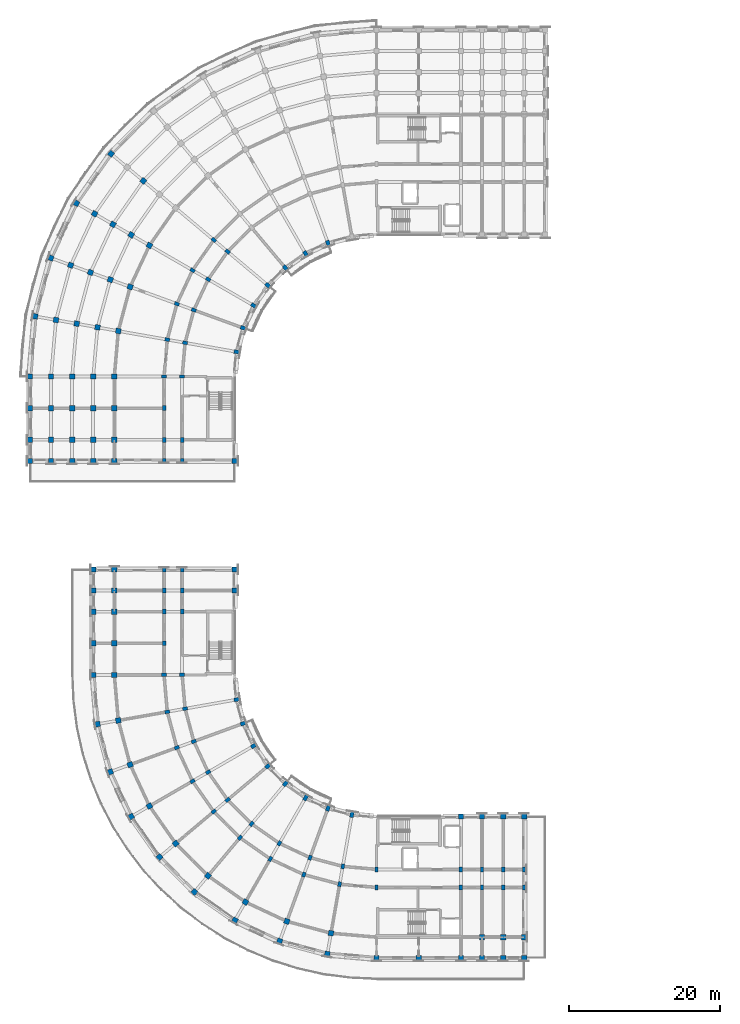
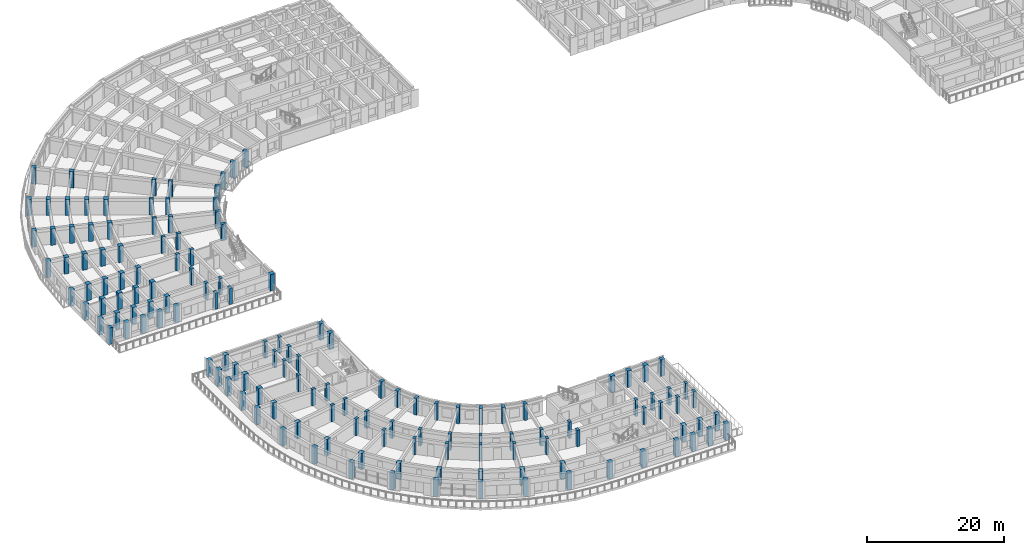
# One storey, part 1 of 54: 144 columns.
"""IFC4 building model written with IfcOpenShell, lengths in metres."""

import ifcopenshell
import ifcopenshell.guid

model = None  # the IFC model being written
_history = None  # IfcOwnerHistory: only IFC2X3 demands one
_inside = {}  # id of a spatial element -> (the spatial element, [elements in it])
_under = {}  # id of a project, library or spatial element -> (it, [spatial elements below it])
_declared = {}  # id of a project -> (the project, [libraries it declares])
_typed = {}  # id of a type object -> (the type object, [elements of that type])
_made_of = {}  # id of a material, layer set ... -> (it, [elements and type objects made of it])


def new_model(schema):
    """Start an empty IFC model of exactly this schema.

    Asked for "IFC4X3", IfcOpenShell would pick the latest addendum, in which some entities
    have other attributes; the version numbers below select the first issue.
    IFC2X3 requires an IfcOwnerHistory on every rooted entity: one is made here for all.
    """
    global model, _history
    if schema == "IFC4X3":
        model = ifcopenshell.file(schema_version=(4, 3, 0, 0))
    else:
        model = ifcopenshell.file(schema=schema)
    _inside.clear()
    _under.clear()
    _declared.clear()
    _typed.clear()
    _made_of.clear()
    _history = None
    if model.schema == "IFC2X3":
        org = make("IfcOrganization", Name="unknown")
        user = make(
            "IfcPersonAndOrganization",
            ThePerson=make("IfcPerson", FamilyName="unknown"),
            TheOrganization=org,
        )
        app = make(
            "IfcApplication",
            ApplicationDeveloper=org,
            Version="unknown",
            ApplicationFullName="unknown",
            ApplicationIdentifier="unknown",
        )
        _history = make(
            "IfcOwnerHistory",
            OwningUser=user,
            OwningApplication=app,
            ChangeAction="ADDED",
            CreationDate=0,
        )
    return model


def make(cls, **values):
    """One entity of the class cls with the attributes given. An attribute that is None is left unset."""
    return model.create_entity(
        cls, **{name: value for name, value in values.items() if value is not None}
    )


def rooted(cls, **values):
    """An entity with a GlobalId (a new one), such as an element, a storey or a relation."""
    return make(cls, GlobalId=ifcopenshell.guid.new(), OwnerHistory=_history, **values)


def si_unit(unit_type, name, prefix=None):
    """IfcSIUnit, for example si_unit("LENGTHUNIT", "METRE", prefix="MILLI")."""
    return make("IfcSIUnit", UnitType=unit_type, Prefix=prefix, Name=name)


def assignment(units):
    """IfcUnitAssignment: the units of a project."""
    return None if units is None else make("IfcUnitAssignment", Units=units)


def point(xyz):
    """IfcCartesianPoint."""
    return None if xyz is None else make("IfcCartesianPoint", Coordinates=xyz)


def direction(xyz):
    """IfcDirection."""
    return None if xyz is None else make("IfcDirection", DirectionRatios=xyz)


def frame(location, z_axis=None, x_axis=None):
    """IfcAxis2Placement3D, a coordinate frame: its origin and axes. An axis left out is left unset."""
    return make(
        "IfcAxis2Placement3D",
        Location=point(location),
        Axis=direction(z_axis),
        RefDirection=direction(x_axis),
    )


def frame_2d(location, x_axis=None):
    """IfcAxis2Placement2D, a coordinate frame in the plane: its origin and x axis."""
    return make(
        "IfcAxis2Placement2D", Location=point(location), RefDirection=direction(x_axis)
    )


def origin():
    """The frame at (0, 0, 0) with its axes left unset."""
    return frame((0.0, 0.0, 0.0))


def origin_2d():
    """The frame at (0, 0) in the plane with its x axis left unset."""
    return frame_2d((0.0, 0.0))


def place(relative_to, where):
    """IfcLocalPlacement: puts the frame where relative to a parent placement (None: the world)."""
    return make(
        "IfcLocalPlacement", PlacementRelTo=relative_to, RelativePlacement=where
    )


def context(
    kind, dimensions, precision=None, world=None, true_north=None, identifier=None
):
    """IfcGeometricRepresentationContext, for example the 3D "Model" context."""
    return make(
        "IfcGeometricRepresentationContext",
        ContextIdentifier=identifier,
        ContextType=kind,
        CoordinateSpaceDimension=dimensions,
        Precision=precision,
        WorldCoordinateSystem=world,
        TrueNorth=true_north,
    )


def subcontext(parent, identifier, kind, view, scale=None):
    """IfcGeometricRepresentationSubContext, for example "Body" below "Model"."""
    return make(
        "IfcGeometricRepresentationSubContext",
        ContextIdentifier=identifier,
        ContextType=kind,
        ParentContext=parent,
        TargetScale=scale,
        TargetView=view,
    )


def project(units=None, contexts=None):
    """IfcProject with its units and contexts."""
    return rooted(
        "IfcProject",
        Name="project",
        RepresentationContexts=contexts,
        UnitsInContext=assignment(units),
    )


def spatial(cls, under=None, at=None, **own):
    """A site, building, storey or space (cls), placed at a placement, below another one or the project."""
    s = rooted(cls, ObjectPlacement=at, **own)
    if under is not None:
        _under.setdefault(under.id(), (under, []))[1].append(s)
    return s


def profile(cls, at=None, kind="AREA", **sizes):
    """A parametric profile (cls). Its sizes go by their IFC names, for example OverallWidth=200.0."""
    return make(cls, ProfileType=kind, Position=at, **sizes)


def rectangle(**sizes):
    """IfcRectangleProfileDef."""
    return profile("IfcRectangleProfileDef", **sizes)


def extrude(swept, where, along, depth):
    """IfcExtrudedAreaSolid: the profile swept, set in the frame where, extruded along a direction by depth."""
    return make(
        "IfcExtrudedAreaSolid",
        SweptArea=swept,
        Position=where,
        ExtrudedDirection=direction(along),
        Depth=depth,
    )


def shape(context_of_items, identifier, shape_type, items):
    """IfcShapeRepresentation: the items that make up one representation, for example the "Body"."""
    return make(
        "IfcShapeRepresentation",
        ContextOfItems=context_of_items,
        RepresentationIdentifier=identifier,
        RepresentationType=shape_type,
        Items=items,
    )


def material(Name=None, Category=None):
    """IfcMaterial."""
    return make("IfcMaterial", Name=Name, Category=Category)


def material_profile(
    of_material, cross_section, Name=None, Category=None, Priority=None
):
    """IfcMaterialProfile: a cross section and its material."""
    return make(
        "IfcMaterialProfile",
        Name=Name,
        Material=of_material,
        Profile=cross_section,
        Priority=Priority,
        Category=Category,
    )


def profile_set(profiles, Name=None, composite=None):
    """IfcMaterialProfileSet."""
    return make(
        "IfcMaterialProfileSet",
        Name=Name,
        MaterialProfiles=profiles,
        CompositeProfile=composite,
    )


def made_of(thing, what):
    """Note that an element or type object is made of a material, layer set ...; save() writes the relation."""
    if what is not None:
        _made_of.setdefault(what.id(), (what, []))[1].append(thing)
    return thing


def type_object(cls, material=None, **own):
    """A type object (cls), such as IfcWallType, which elements share."""
    return made_of(rooted(cls, **own), material)


def element(
    cls,
    number,
    at=None,
    inside=None,
    cuts=None,
    type_object=None,
    material=None,
    context=None,
    identifier="Body",
    shape_type=None,
    held_by="IfcProductDefinitionShape",
    body=None,
    shapes=None,
    **own,
):
    """One element of the class cls, such as IfcWall. Its Tag is "e" and its number.

    at: its placement. inside: the storey or other place that contains it. cuts: it is an
    opening in that element (IfcRelVoidsElement). A single representation is given by context,
    identifier, shape_type and body (its items); several are given by shapes. held_by: the class
    of the entity that holds the representations. save() writes the other relations.
    """
    e = rooted(cls, Tag="e%d" % number, ObjectPlacement=at, **own)
    if body is not None:
        shapes = [shape(context, identifier, shape_type, body)]
    if shapes is not None:
        e.Representation = make(held_by, Representations=shapes)
    if inside is not None:
        _inside.setdefault(inside.id(), (inside, []))[1].append(e)
    if cuts is not None:
        rooted(
            "IfcRelVoidsElement", RelatingBuildingElement=cuts, RelatedOpeningElement=e
        )
    if type_object is not None:
        _typed.setdefault(type_object.id(), (type_object, []))[1].append(e)
    return made_of(e, material)


def aggregate(whole, parts):
    """IfcRelAggregates: a whole, such as a stair, and the parts it consists of."""
    return rooted("IfcRelAggregates", RelatingObject=whole, RelatedObjects=parts)


def save(model, path):
    """Write the relations noted so far, then the file.

    IfcRelAggregates (storeys below a building ...), IfcRelContainedInSpatialStructure (elements
    in a storey), IfcRelDefinesByType, IfcRelAssociatesMaterial and IfcRelDeclares: one each for
    every whole, place, type object, material and project.
    """
    for whole, parts in _under.values():
        aggregate(whole, parts)
    for where, things in _inside.values():
        rooted(
            "IfcRelContainedInSpatialStructure",
            RelatedElements=things,
            RelatingStructure=where,
        )
    for kind, things in _typed.values():
        rooted("IfcRelDefinesByType", RelatedObjects=things, RelatingType=kind)
    for what, things in _made_of.values():
        rooted("IfcRelAssociatesMaterial", RelatedObjects=things, RelatingMaterial=what)
    for by, libraries in _declared.values():
        rooted("IfcRelDeclares", RelatingContext=by, RelatedDefinitions=libraries)
    model.write(path)


model = new_model("IFC4")

# Units and contexts
model_context = context("Model", 3, precision=1e-05, world=origin(), true_north=direction((0.0, 1.0)))
body_context = subcontext(model_context, "Body", "Model", "MODEL_VIEW")
ifc_project = project(units=[si_unit("LENGTHUNIT", "METRE"), si_unit("AREAUNIT", "SQUARE_METRE"), si_unit("VOLUMEUNIT", "CUBIC_METRE"), si_unit("PLANEANGLEUNIT", "RADIAN"), si_unit("MASSUNIT", "GRAM", prefix="KILO")], contexts=[model_context])

# Site, building, storey
site_placement = place(None, origin())
site = spatial("IfcSite", under=ifc_project, at=site_placement, CompositionType="ELEMENT")
building_placement = place(site_placement, origin())
building = spatial("IfcBuilding", under=site, at=building_placement, Name="Kiranvali Square Residences", CompositionType="ELEMENT")
storey_placement = place(building_placement, frame((0.0, 0.0, 27.60009765625)))
storey = spatial("IfcBuildingStorey", under=building, at=storey_placement, Name="L08", CompositionType="ELEMENT", Elevation=27.60009765625)

# Columns
ifc_material_1 = material(Name="Concrete M40 (40 MPa)", Category="concrete")
ifc_material_profile_1 = material_profile(ifc_material_1, rectangle(XDim=0.449951171875, YDim=0.64990234375, at=origin_2d()), Name="RC 650x450")
ifc_profile_set_1 = profile_set([ifc_material_profile_1], Name="Concrete M40 (40 MPa)")
column_type_1 = type_object("IfcColumnType", Name="COL-M40-650x450", PredefinedType="COLUMN", material=ifc_profile_set_1)
for number, where, z_axis, x_axis, name in (
    (1, (28.43603515625, 104.384033203125, 0.0), (0.0, 0.0, 1.0), (0.642787609687, 0.766044443119, 0.0), "Block A L08 radial column A05-R1"),
    (2, (26.59765625, 105.926513671875, 0.0), (0.0, 0.0, 1.0), (0.642787609687, 0.766044443119, 0.0), "Block A L08 radial column A05-R2"),
    (3, (25.8564453125, 100.699951171875, 0.0), (0.0, 0.0, 1.0), (0.5, 0.866025403784, 0.0), "Block A L08 radial column A06-R1"),
    (4, (23.778076171875, 101.89990234375, 0.0), (0.0, 0.0, 1.0), (0.5, 0.866025403784, 0.0), "Block A L08 radial column A06-R2"),
    (5, (23.955810546875, 96.6240234375, 0.0), (0.0, 0.0, 1.0), (0.342020143326, 0.939692620786, 0.0), "Block A L08 radial column A07-R1"),
    (6, (21.70068359375, 97.445068359375, 0.0), (0.0, 0.0, 1.0), (0.342020143326, 0.939692620786, 0.0), "Block A L08 radial column A07-R2"),
    (7, (22.7919921875, 92.280029296875, 0.0), (0.0, 0.0, 1.0), (0.173648177667, 0.984807753012, 0.0), "Block A L08 radial column A08-R1"),
    (8, (20.428466796875, 92.69677734375, 0.0), (0.0, 0.0, 1.0), (0.173648177667, 0.984807753012, 0.0), "Block A L08 radial column A08-R2"),
    (9, (22.39990234375, 87.800048828125, 0.0), (0.0, 0.0, 1.0), (0.0, 1.0, 0.0), "Block A L08 radial column A09-R1"),
    (10, (20.0, 87.800048828125, 0.0), (0.0, 0.0, 1.0), (0.0, 1.0, 0.0), "Block A L08 radial column A09-R2"),
    (11, (20.0, 83.60009765625, 0.0), (0.0, 0.0, 1.0), (1.0, 0.0, 0.0), "Block A L08 Arm 2 mid-core column V0-R2"),
    (12, (22.39990234375, 79.39990234375, 0.0), (0.0, 0.0, 1.0), (1.0, 0.0, 0.0), "Block A L08 Arm 2 column V1-R1"),
    (13, (20.0, 79.39990234375, 0.0), (0.0, 0.0, 1.0), (1.0, 0.0, 0.0), "Block A L08 Arm 2 column V1-R2"),
    (14, (22.39990234375, 76.60009765625, 0.0), (0.0, 0.0, 1.0), (1.0, 0.0, 0.0), "Block A L08 Arm 2 column V2-R1"),
    (15, (20.0, 76.60009765625, 0.0), (0.0, 0.0, 1.0), (1.0, 0.0, 0.0), "Block A L08 Arm 2 column V2-R2"),
    (16, (48.199951171875, 22.39990234375, 0.0), (0.0, 0.0, 1.0), (1.0, 0.0, 0.0), "Block C L08 radial column A00-R1"),
    (17, (48.199951171875, 20.0, 0.0), (0.0, 0.0, 1.0), (1.0, 0.0, 0.0), "Block C L08 radial column A00-R2"),
    (18, (43.719970703125, 22.7919921875, 0.0), (0.0, 0.0, 1.0), (-0.984807753012, 0.173648177667, 0.0), "Block C L08 radial column A01-R1"),
    (19, (43.30322265625, 20.428466796875, 0.0), (0.0, 0.0, 1.0), (-0.984807753012, 0.173648177667, 0.0), "Block C L08 radial column A01-R2"),
    (20, (39.3759765625, 23.955810546875, 0.0), (0.0, 0.0, 1.0), (-0.939692620786, 0.342020143326, 0.0), "Block C L08 radial column A02-R1"),
    (21, (38.554931640625, 21.70068359375, 0.0), (0.0, 0.0, 1.0), (-0.939692620786, 0.342020143326, 0.0), "Block C L08 radial column A02-R2"),
    (22, (35.300048828125, 25.8564453125, 0.0), (0.0, 0.0, 1.0), (-0.866025403784, 0.5, 0.0), "Block C L08 radial column A03-R1"),
    (23, (34.10009765625, 23.778076171875, 0.0), (0.0, 0.0, 1.0), (-0.866025403784, 0.5, 0.0), "Block C L08 radial column A03-R2"),
    (24, (31.615966796875, 28.43603515625, 0.0), (0.0, 0.0, 1.0), (-0.766044443119, 0.642787609687, 0.0), "Block C L08 radial column A04-R1"),
    (25, (30.073486328125, 26.59765625, 0.0), (0.0, 0.0, 1.0), (-0.766044443119, 0.642787609687, 0.0), "Block C L08 radial column A04-R2"),
    (26, (28.43603515625, 31.615966796875, 0.0), (0.0, 0.0, 1.0), (-0.642787609687, 0.766044443119, 0.0), "Block C L08 radial column A05-R1"),
    (27, (26.59765625, 30.073486328125, 0.0), (0.0, 0.0, 1.0), (-0.642787609687, 0.766044443119, 0.0), "Block C L08 radial column A05-R2"),
    (28, (25.8564453125, 35.300048828125, 0.0), (0.0, 0.0, 1.0), (-0.5, 0.866025403784, 0.0), "Block C L08 radial column A06-R1"),
    (29, (23.778076171875, 34.10009765625, 0.0), (0.0, 0.0, 1.0), (-0.5, 0.866025403784, 0.0), "Block C L08 radial column A06-R2"),
    (30, (23.955810546875, 39.3759765625, 0.0), (0.0, 0.0, 1.0), (-0.342020143326, 0.939692620786, 0.0), "Block C L08 radial column A07-R1"),
    (31, (21.70068359375, 38.554931640625, 0.0), (0.0, 0.0, 1.0), (-0.342020143326, 0.939692620786, 0.0), "Block C L08 radial column A07-R2"),
    (32, (22.7919921875, 43.719970703125, 0.0), (0.0, 0.0, 1.0), (-0.173648177667, 0.984807753012, 0.0), "Block C L08 radial column A08-R1"),
    (33, (20.428466796875, 43.30322265625, 0.0), (0.0, 0.0, 1.0), (-0.173648177667, 0.984807753012, 0.0), "Block C L08 radial column A08-R2"),
    (34, (22.39990234375, 48.199951171875, 0.0), (0.0, 0.0, 1.0), (0.0, 1.0, 0.0), "Block C L08 radial column A09-R1"),
    (35, (20.0, 48.199951171875, 0.0), (0.0, 0.0, 1.0), (0.0, 1.0, 0.0), "Block C L08 radial column A09-R2"),
    (36, (59.39990234375, 22.39990234375, 0.0), (0.0, 0.0, 1.0), (1.0, 0.0, 0.0), "Block C L08 Arm 1 column U1-R1"),
    (37, (59.39990234375, 20.0, 0.0), (0.0, 0.0, 1.0), (1.0, 0.0, 0.0), "Block C L08 Arm 1 column U1-R2"),
    (38, (62.199951171875, 22.39990234375, 0.0), (0.0, 0.0, 1.0), (1.0, 0.0, 0.0), "Block C L08 Arm 1 column U2-R1"),
    (39, (62.199951171875, 20.0, 0.0), (0.0, 0.0, 1.0), (1.0, 0.0, 0.0), "Block C L08 Arm 1 column U2-R2"),
    (40, (65.0, 22.39990234375, 0.0), (0.0, 0.0, 1.0), (1.0, 0.0, 0.0), "Block C L08 Arm 1 column U3-R1"),
    (41, (65.0, 20.0, 0.0), (0.0, 0.0, 1.0), (1.0, 0.0, 0.0), "Block C L08 Arm 1 column U3-R2"),
    (42, (67.800048828125, 22.39990234375, 0.0), (0.0, 0.0, 1.0), (1.0, 0.0, 0.0), "Block C L08 Arm 1 column U4-R1"),
    (43, (67.800048828125, 20.0, 0.0), (0.0, 0.0, 1.0), (1.0, 0.0, 0.0), "Block C L08 Arm 1 column U4-R2"),
    (44, (20.0, 52.39990234375, 0.0), (0.0, 0.0, 1.0), (1.0, 0.0, 0.0), "Block C L08 Arm 2 mid-core column V0-R2"),
    (45, (22.39990234375, 56.60009765625, 0.0), (0.0, 0.0, 1.0), (1.0, 0.0, 0.0), "Block C L08 Arm 2 column V1-R1"),
    (46, (20.0, 56.60009765625, 0.0), (0.0, 0.0, 1.0), (1.0, 0.0, 0.0), "Block C L08 Arm 2 column V1-R2"),
    (47, (22.39990234375, 59.39990234375, 0.0), (0.0, 0.0, 1.0), (1.0, 0.0, 0.0), "Block C L08 Arm 2 column V2-R1"),
    (48, (20.0, 59.39990234375, 0.0), (0.0, 0.0, 1.0), (1.0, 0.0, 0.0), "Block C L08 Arm 2 column V2-R2"),
    (49, (22.39990234375, 62.199951171875, 0.0), (0.0, 0.0, 1.0), (1.0, 0.0, 0.0), "Block C L08 Arm 2 column V3-R1"),
    (50, (20.0, 62.199951171875, 0.0), (0.0, 0.0, 1.0), (1.0, 0.0, 0.0), "Block C L08 Arm 2 column V3-R2"),
):
    element("IfcColumn", number, at=place(storey_placement, frame(where, z_axis=z_axis, x_axis=x_axis)), inside=storey, type_object=column_type_1, Name=name, PredefinedType="COLUMN", context=body_context, shape_type="SweptSolid", body=[
        extrude(rectangle(XDim=0.449951171875, YDim=0.64990234375, at=origin_2d()), origin(), (0.0, 0.0, 1.0), 2.929931640625),
    ])
ifc_material_2 = material(Name="Concrete M45 (45 MPa)", Category="concrete")
ifc_material_profile_2 = material_profile(ifc_material_2, rectangle(XDim=0.699951171875, YDim=0.699951171875, at=origin_2d()), Name="RC 700x700")
ifc_profile_set_2 = profile_set([ifc_material_profile_2], Name="Concrete M45 (45 MPa)")
column_type_2 = type_object("IfcColumnType", Name="COL-M45-700", PredefinedType="COLUMN", material=ifc_profile_set_2)
for number, where, z_axis, x_axis, name in (
    (51, (17.251708984375, 113.7685546875, 0.0), (0.0, 0.0, 1.0), (0.642787609687, 0.766044443119, 0.0), "Block A L08 radial column A05-R5"),
    (52, (12.9619140625, 117.3681640625, 0.0), (0.0, 0.0, 1.0), (0.642787609687, 0.766044443119, 0.0), "Block A L08 radial column A05-R7"),
    (53, (18.062255859375, 105.199951171875, 0.0), (0.0, 0.0, 1.0), (0.5, 0.866025403784, 0.0), "Block A L08 radial column A06-R3"),
    (54, (15.637451171875, 106.60009765625, 0.0), (0.0, 0.0, 1.0), (0.5, 0.866025403784, 0.0), "Block A L08 radial column A06-R4"),
    (55, (13.212646484375, 108.0, 0.0), (0.0, 0.0, 1.0), (0.5, 0.866025403784, 0.0), "Block A L08 radial column A06-R5"),
    (56, (10.78759765625, 109.39990234375, 0.0), (0.0, 0.0, 1.0), (0.5, 0.866025403784, 0.0), "Block A L08 radial column A06-R6"),
    (57, (8.36279296875, 110.800048828125, 0.0), (0.0, 0.0, 1.0), (0.5, 0.866025403784, 0.0), "Block A L08 radial column A06-R7"),
    (58, (15.498779296875, 99.702392578125, 0.0), (0.0, 0.0, 1.0), (0.342020143326, 0.939692620786, 0.0), "Block A L08 radial column A07-R3"),
    (59, (12.86767578125, 100.659912109375, 0.0), (0.0, 0.0, 1.0), (0.342020143326, 0.939692620786, 0.0), "Block A L08 radial column A07-R4"),
    (60, (10.236328125, 101.61767578125, 0.0), (0.0, 0.0, 1.0), (0.342020143326, 0.939692620786, 0.0), "Block A L08 radial column A07-R5"),
    (61, (7.605224609375, 102.5751953125, 0.0), (0.0, 0.0, 1.0), (0.342020143326, 0.939692620786, 0.0), "Block A L08 radial column A07-R6"),
    (62, (4.97412109375, 103.532958984375, 0.0), (0.0, 0.0, 1.0), (0.342020143326, 0.939692620786, 0.0), "Block A L08 radial column A07-R7"),
    (63, (13.9287109375, 93.843017578125, 0.0), (0.0, 0.0, 1.0), (0.173648177667, 0.984807753012, 0.0), "Block A L08 radial column A08-R3"),
    (64, (11.171142578125, 94.3291015625, 0.0), (0.0, 0.0, 1.0), (0.173648177667, 0.984807753012, 0.0), "Block A L08 radial column A08-R4"),
    (65, (8.413818359375, 94.8154296875, 0.0), (0.0, 0.0, 1.0), (0.173648177667, 0.984807753012, 0.0), "Block A L08 radial column A08-R5"),
    (66, (5.65625, 95.301513671875, 0.0), (0.0, 0.0, 1.0), (0.173648177667, 0.984807753012, 0.0), "Block A L08 radial column A08-R6"),
    (67, (2.89892578125, 95.787841796875, 0.0), (0.0, 0.0, 1.0), (0.173648177667, 0.984807753012, 0.0), "Block A L08 radial column A08-R7"),
    (68, (13.39990234375, 87.800048828125, 0.0), (0.0, 0.0, 1.0), (0.0, 1.0, 0.0), "Block A L08 radial column A09-R3"),
    (69, (10.60009765625, 87.800048828125, 0.0), (0.0, 0.0, 1.0), (0.0, 1.0, 0.0), "Block A L08 radial column A09-R4"),
    (70, (7.800048828125, 87.800048828125, 0.0), (0.0, 0.0, 1.0), (0.0, 1.0, 0.0), "Block A L08 radial column A09-R5"),
    (71, (5.0, 87.800048828125, 0.0), (0.0, 0.0, 1.0), (0.0, 1.0, 0.0), "Block A L08 radial column A09-R6"),
    (72, (2.199951171875, 87.800048828125, 0.0), (0.0, 0.0, 1.0), (0.0, 1.0, 0.0), "Block A L08 radial column A09-R7"),
    (73, (13.39990234375, 83.60009765625, 0.0), (0.0, 0.0, 1.0), (1.0, 0.0, 0.0), "Block A L08 Arm 2 mid-core column V0-R3"),
    (74, (10.60009765625, 83.60009765625, 0.0), (0.0, 0.0, 1.0), (1.0, 0.0, 0.0), "Block A L08 Arm 2 mid-core column V0-R4"),
    (75, (7.800048828125, 83.60009765625, 0.0), (0.0, 0.0, 1.0), (1.0, 0.0, 0.0), "Block A L08 Arm 2 mid-core column V0-R5"),
    (76, (5.0, 83.60009765625, 0.0), (0.0, 0.0, 1.0), (1.0, 0.0, 0.0), "Block A L08 Arm 2 mid-core column V0-R6"),
    (77, (2.199951171875, 83.60009765625, 0.0), (0.0, 0.0, 1.0), (1.0, 0.0, 0.0), "Block A L08 Arm 2 mid-core column V0-R7"),
    (78, (13.39990234375, 79.39990234375, 0.0), (0.0, 0.0, 1.0), (1.0, 0.0, 0.0), "Block A L08 Arm 2 column V1-R3"),
    (79, (10.60009765625, 79.39990234375, 0.0), (0.0, 0.0, 1.0), (1.0, 0.0, 0.0), "Block A L08 Arm 2 column V1-R4"),
    (80, (7.800048828125, 79.39990234375, 0.0), (0.0, 0.0, 1.0), (1.0, 0.0, 0.0), "Block A L08 Arm 2 column V1-R5"),
    (81, (5.0, 79.39990234375, 0.0), (0.0, 0.0, 1.0), (1.0, 0.0, 0.0), "Block A L08 Arm 2 column V1-R6"),
    (82, (2.199951171875, 79.39990234375, 0.0), (0.0, 0.0, 1.0), (1.0, 0.0, 0.0), "Block A L08 Arm 2 column V1-R7"),
    (83, (29.39990234375, 76.60009765625, 0.0), (0.0, 0.0, 1.0), (1.0, 0.0, 0.0), "Block A L08 Arm 2 column V2-R0"),
    (84, (13.39990234375, 76.60009765625, 0.0), (0.0, 0.0, 1.0), (1.0, 0.0, 0.0), "Block A L08 Arm 2 column V2-R3"),
    (85, (10.60009765625, 76.60009765625, 0.0), (0.0, 0.0, 1.0), (1.0, 0.0, 0.0), "Block A L08 Arm 2 column V2-R4"),
    (86, (7.800048828125, 76.60009765625, 0.0), (0.0, 0.0, 1.0), (1.0, 0.0, 0.0), "Block A L08 Arm 2 column V2-R5"),
    (87, (5.0, 76.60009765625, 0.0), (0.0, 0.0, 1.0), (1.0, 0.0, 0.0), "Block A L08 Arm 2 column V2-R6"),
    (88, (2.199951171875, 76.60009765625, 0.0), (0.0, 0.0, 1.0), (1.0, 0.0, 0.0), "Block A L08 Arm 2 column V2-R7"),
):
    element("IfcColumn", number, at=place(storey_placement, frame(where, z_axis=z_axis, x_axis=x_axis)), inside=storey, type_object=column_type_2, Name=name, PredefinedType="COLUMN", context=body_context, shape_type="SweptSolid", body=[
        extrude(rectangle(XDim=0.699951171875, YDim=0.699951171875, at=origin_2d()), origin(), (0.0, 0.0, 1.0), 2.929931640625),
    ])
column_1_placement = place(storey_placement, frame((48.199951171875, 10.60009765625, 0.0), z_axis=(0.0, 0.0, 1.0), x_axis=(1.0, 0.0, 0.0)))
element("IfcColumn", 89, at=column_1_placement, inside=storey, type_object=column_type_2, Name="Block C L08 radial column A00-R4", PredefinedType="COLUMN", context=body_context, shape_type="SweptSolid", body=[
    extrude(rectangle(XDim=0.699951171875, YDim=0.699951171875, at=origin_2d()), origin(), (0.0, 0.0, 1.0), 2.969970703125),
])
column_2_placement = place(storey_placement, frame((42.156982421875, 13.9287109375, 0.0), z_axis=(0.0, 0.0, 1.0), x_axis=(-0.984807753012, 0.173648177667, 0.0)))
element("IfcColumn", 90, at=column_2_placement, inside=storey, type_object=column_type_2, Name="Block C L08 radial column A01-R3", PredefinedType="COLUMN", context=body_context, shape_type="SweptSolid", body=[
    extrude(rectangle(XDim=0.699951171875, YDim=0.699951171875, at=origin_2d()), origin(), (0.0, 0.0, 1.0), 2.929931640625),
])
column_3_placement = place(storey_placement, frame((41.6708984375, 11.171142578125, 0.0), z_axis=(0.0, 0.0, 1.0), x_axis=(-0.984807753012, 0.173648177667, 0.0)))
element("IfcColumn", 91, at=column_3_placement, inside=storey, type_object=column_type_2, Name="Block C L08 radial column A01-R4", PredefinedType="COLUMN", context=body_context, shape_type="SweptSolid", body=[
    extrude(rectangle(XDim=0.699951171875, YDim=0.699951171875, at=origin_2d()), origin(), (0.0, 0.0, 1.0), 2.969970703125),
])
column_4_placement = place(storey_placement, frame((36.297607421875, 15.498779296875, 0.0), z_axis=(0.0, 0.0, 1.0), x_axis=(-0.939692620786, 0.342020143326, 0.0)))
element("IfcColumn", 92, at=column_4_placement, inside=storey, type_object=column_type_2, Name="Block C L08 radial column A02-R3", PredefinedType="COLUMN", context=body_context, shape_type="SweptSolid", body=[
    extrude(rectangle(XDim=0.699951171875, YDim=0.699951171875, at=origin_2d()), origin(), (0.0, 0.0, 1.0), 2.929931640625),
])
column_5_placement = place(storey_placement, frame((35.340087890625, 12.86767578125, 0.0), z_axis=(0.0, 0.0, 1.0), x_axis=(-0.939692620786, 0.342020143326, 0.0)))
element("IfcColumn", 93, at=column_5_placement, inside=storey, type_object=column_type_2, Name="Block C L08 radial column A02-R4", PredefinedType="COLUMN", context=body_context, shape_type="SweptSolid", body=[
    extrude(rectangle(XDim=0.699951171875, YDim=0.699951171875, at=origin_2d()), origin(), (0.0, 0.0, 1.0), 2.969970703125),
])
column_6_placement = place(storey_placement, frame((30.800048828125, 18.062255859375, 0.0), z_axis=(0.0, 0.0, 1.0), x_axis=(-0.866025403784, 0.5, 0.0)))
element("IfcColumn", 94, at=column_6_placement, inside=storey, type_object=column_type_2, Name="Block C L08 radial column A03-R3", PredefinedType="COLUMN", context=body_context, shape_type="SweptSolid", body=[
    extrude(rectangle(XDim=0.699951171875, YDim=0.699951171875, at=origin_2d()), origin(), (0.0, 0.0, 1.0), 2.929931640625),
])
column_7_placement = place(storey_placement, frame((29.39990234375, 15.637451171875, 0.0), z_axis=(0.0, 0.0, 1.0), x_axis=(-0.866025403784, 0.5, 0.0)))
element("IfcColumn", 95, at=column_7_placement, inside=storey, type_object=column_type_2, Name="Block C L08 radial column A03-R4", PredefinedType="COLUMN", context=body_context, shape_type="SweptSolid", body=[
    extrude(rectangle(XDim=0.699951171875, YDim=0.699951171875, at=origin_2d()), origin(), (0.0, 0.0, 1.0), 2.969970703125),
])
column_8_placement = place(storey_placement, frame((25.8310546875, 21.541748046875, 0.0), z_axis=(0.0, 0.0, 1.0), x_axis=(-0.766044443119, 0.642787609687, 0.0)))
element("IfcColumn", 96, at=column_8_placement, inside=storey, type_object=column_type_2, Name="Block C L08 radial column A04-R3", PredefinedType="COLUMN", context=body_context, shape_type="SweptSolid", body=[
    extrude(rectangle(XDim=0.699951171875, YDim=0.699951171875, at=origin_2d()), origin(), (0.0, 0.0, 1.0), 2.929931640625),
])
column_9_placement = place(storey_placement, frame((24.03125, 19.396728515625, 0.0), z_axis=(0.0, 0.0, 1.0), x_axis=(-0.766044443119, 0.642787609687, 0.0)))
element("IfcColumn", 97, at=column_9_placement, inside=storey, type_object=column_type_2, Name="Block C L08 radial column A04-R4", PredefinedType="COLUMN", context=body_context, shape_type="SweptSolid", body=[
    extrude(rectangle(XDim=0.699951171875, YDim=0.699951171875, at=origin_2d()), origin(), (0.0, 0.0, 1.0), 2.969970703125),
])
column_10_placement = place(storey_placement, frame((21.541748046875, 25.8310546875, 0.0), z_axis=(0.0, 0.0, 1.0), x_axis=(-0.642787609687, 0.766044443119, 0.0)))
element("IfcColumn", 98, at=column_10_placement, inside=storey, type_object=column_type_2, Name="Block C L08 radial column A05-R3", PredefinedType="COLUMN", context=body_context, shape_type="SweptSolid", body=[
    extrude(rectangle(XDim=0.699951171875, YDim=0.699951171875, at=origin_2d()), origin(), (0.0, 0.0, 1.0), 2.929931640625),
])
column_11_placement = place(storey_placement, frame((19.396728515625, 24.03125, 0.0), z_axis=(0.0, 0.0, 1.0), x_axis=(-0.642787609687, 0.766044443119, 0.0)))
element("IfcColumn", 99, at=column_11_placement, inside=storey, type_object=column_type_2, Name="Block C L08 radial column A05-R4", PredefinedType="COLUMN", context=body_context, shape_type="SweptSolid", body=[
    extrude(rectangle(XDim=0.699951171875, YDim=0.699951171875, at=origin_2d()), origin(), (0.0, 0.0, 1.0), 2.969970703125),
])
column_12_placement = place(storey_placement, frame((18.062255859375, 30.800048828125, 0.0), z_axis=(0.0, 0.0, 1.0), x_axis=(-0.5, 0.866025403784, 0.0)))
element("IfcColumn", 100, at=column_12_placement, inside=storey, type_object=column_type_2, Name="Block C L08 radial column A06-R3", PredefinedType="COLUMN", context=body_context, shape_type="SweptSolid", body=[
    extrude(rectangle(XDim=0.699951171875, YDim=0.699951171875, at=origin_2d()), origin(), (0.0, 0.0, 1.0), 2.929931640625),
])
column_13_placement = place(storey_placement, frame((15.637451171875, 29.39990234375, 0.0), z_axis=(0.0, 0.0, 1.0), x_axis=(-0.5, 0.866025403784, 0.0)))
element("IfcColumn", 101, at=column_13_placement, inside=storey, type_object=column_type_2, Name="Block C L08 radial column A06-R4", PredefinedType="COLUMN", context=body_context, shape_type="SweptSolid", body=[
    extrude(rectangle(XDim=0.699951171875, YDim=0.699951171875, at=origin_2d()), origin(), (0.0, 0.0, 1.0), 2.969970703125),
])
column_14_placement = place(storey_placement, frame((15.498779296875, 36.297607421875, 0.0), z_axis=(0.0, 0.0, 1.0), x_axis=(-0.342020143326, 0.939692620786, 0.0)))
element("IfcColumn", 102, at=column_14_placement, inside=storey, type_object=column_type_2, Name="Block C L08 radial column A07-R3", PredefinedType="COLUMN", context=body_context, shape_type="SweptSolid", body=[
    extrude(rectangle(XDim=0.699951171875, YDim=0.699951171875, at=origin_2d()), origin(), (0.0, 0.0, 1.0), 2.929931640625),
])
column_15_placement = place(storey_placement, frame((12.86767578125, 35.340087890625, 0.0), z_axis=(0.0, 0.0, 1.0), x_axis=(-0.342020143326, 0.939692620786, 0.0)))
element("IfcColumn", 103, at=column_15_placement, inside=storey, type_object=column_type_2, Name="Block C L08 radial column A07-R4", PredefinedType="COLUMN", context=body_context, shape_type="SweptSolid", body=[
    extrude(rectangle(XDim=0.699951171875, YDim=0.699951171875, at=origin_2d()), origin(), (0.0, 0.0, 1.0), 2.969970703125),
])
column_16_placement = place(storey_placement, frame((13.9287109375, 42.156982421875, 0.0), z_axis=(0.0, 0.0, 1.0), x_axis=(-0.173648177667, 0.984807753012, 0.0)))
element("IfcColumn", 104, at=column_16_placement, inside=storey, type_object=column_type_2, Name="Block C L08 radial column A08-R3", PredefinedType="COLUMN", context=body_context, shape_type="SweptSolid", body=[
    extrude(rectangle(XDim=0.699951171875, YDim=0.699951171875, at=origin_2d()), origin(), (0.0, 0.0, 1.0), 2.929931640625),
])
column_17_placement = place(storey_placement, frame((11.171142578125, 41.6708984375, 0.0), z_axis=(0.0, 0.0, 1.0), x_axis=(-0.173648177667, 0.984807753012, 0.0)))
element("IfcColumn", 105, at=column_17_placement, inside=storey, type_object=column_type_2, Name="Block C L08 radial column A08-R4", PredefinedType="COLUMN", context=body_context, shape_type="SweptSolid", body=[
    extrude(rectangle(XDim=0.699951171875, YDim=0.699951171875, at=origin_2d()), origin(), (0.0, 0.0, 1.0), 2.969970703125),
])
column_18_placement = place(storey_placement, frame((13.39990234375, 48.199951171875, 0.0), z_axis=(0.0, 0.0, 1.0), x_axis=(0.0, 1.0, 0.0)))
element("IfcColumn", 106, at=column_18_placement, inside=storey, type_object=column_type_2, Name="Block C L08 radial column A09-R3", PredefinedType="COLUMN", context=body_context, shape_type="SweptSolid", body=[
    extrude(rectangle(XDim=0.699951171875, YDim=0.699951171875, at=origin_2d()), origin(), (0.0, 0.0, 1.0), 2.929931640625),
])
for number, where, z_axis, x_axis, name in (
    (107, (10.60009765625, 48.199951171875, 0.0), (0.0, 0.0, 1.0), (0.0, 1.0, 0.0), "Block C L08 radial column A09-R4"),
    (108, (53.800048828125, 10.60009765625, 0.0), (0.0, 0.0, 1.0), (1.0, 0.0, 0.0), "Block C L08 core-front column U0-R4"),
):
    element("IfcColumn", number, at=place(storey_placement, frame(where, z_axis=z_axis, x_axis=x_axis)), inside=storey, type_object=column_type_2, Name=name, PredefinedType="COLUMN", context=body_context, shape_type="SweptSolid", body=[
        extrude(rectangle(XDim=0.699951171875, YDim=0.699951171875, at=origin_2d()), origin(), (0.0, 0.0, 1.0), 2.969970703125),
    ])
column_19_placement = place(storey_placement, frame((59.39990234375, 29.39990234375, 0.0), z_axis=(0.0, 0.0, 1.0), x_axis=(1.0, 0.0, 0.0)))
element("IfcColumn", 109, at=column_19_placement, inside=storey, type_object=column_type_2, Name="Block C L08 Arm 1 column U1-R0", PredefinedType="COLUMN", context=body_context, shape_type="SweptSolid", body=[
    extrude(rectangle(XDim=0.699951171875, YDim=0.699951171875, at=origin_2d()), origin(), (0.0, 0.0, 1.0), 2.929931640625),
])
column_20_placement = place(storey_placement, frame((59.39990234375, 10.60009765625, 0.0), z_axis=(0.0, 0.0, 1.0), x_axis=(1.0, 0.0, 0.0)))
element("IfcColumn", 110, at=column_20_placement, inside=storey, type_object=column_type_2, Name="Block C L08 Arm 1 column U1-R4", PredefinedType="COLUMN", context=body_context, shape_type="SweptSolid", body=[
    extrude(rectangle(XDim=0.699951171875, YDim=0.699951171875, at=origin_2d()), origin(), (0.0, 0.0, 1.0), 2.969970703125),
])
for number, where, z_axis, x_axis, name in (
    (111, (62.199951171875, 29.39990234375, 0.0), (0.0, 0.0, 1.0), (1.0, 0.0, 0.0), "Block C L08 Arm 1 column U2-R0"),
    (112, (62.199951171875, 13.39990234375, 0.0), (0.0, 0.0, 1.0), (1.0, 0.0, 0.0), "Block C L08 Arm 1 column U2-R3"),
):
    element("IfcColumn", number, at=place(storey_placement, frame(where, z_axis=z_axis, x_axis=x_axis)), inside=storey, type_object=column_type_2, Name=name, PredefinedType="COLUMN", context=body_context, shape_type="SweptSolid", body=[
        extrude(rectangle(XDim=0.699951171875, YDim=0.699951171875, at=origin_2d()), origin(), (0.0, 0.0, 1.0), 2.929931640625),
    ])
column_21_placement = place(storey_placement, frame((62.199951171875, 10.60009765625, 0.0), z_axis=(0.0, 0.0, 1.0), x_axis=(1.0, 0.0, 0.0)))
element("IfcColumn", 113, at=column_21_placement, inside=storey, type_object=column_type_2, Name="Block C L08 Arm 1 column U2-R4", PredefinedType="COLUMN", context=body_context, shape_type="SweptSolid", body=[
    extrude(rectangle(XDim=0.699951171875, YDim=0.699951171875, at=origin_2d()), origin(), (0.0, 0.0, 1.0), 2.969970703125),
])
for number, where, z_axis, x_axis, name in (
    (114, (65.0, 29.39990234375, 0.0), (0.0, 0.0, 1.0), (1.0, 0.0, 0.0), "Block C L08 Arm 1 column U3-R0"),
    (115, (65.0, 13.39990234375, 0.0), (0.0, 0.0, 1.0), (1.0, 0.0, 0.0), "Block C L08 Arm 1 column U3-R3"),
):
    element("IfcColumn", number, at=place(storey_placement, frame(where, z_axis=z_axis, x_axis=x_axis)), inside=storey, type_object=column_type_2, Name=name, PredefinedType="COLUMN", context=body_context, shape_type="SweptSolid", body=[
        extrude(rectangle(XDim=0.699951171875, YDim=0.699951171875, at=origin_2d()), origin(), (0.0, 0.0, 1.0), 2.929931640625),
    ])
column_22_placement = place(storey_placement, frame((65.0, 10.60009765625, 0.0), z_axis=(0.0, 0.0, 1.0), x_axis=(1.0, 0.0, 0.0)))
element("IfcColumn", 116, at=column_22_placement, inside=storey, type_object=column_type_2, Name="Block C L08 Arm 1 column U3-R4", PredefinedType="COLUMN", context=body_context, shape_type="SweptSolid", body=[
    extrude(rectangle(XDim=0.699951171875, YDim=0.699951171875, at=origin_2d()), origin(), (0.0, 0.0, 1.0), 2.969970703125),
])
for number, where, z_axis, x_axis, name in (
    (117, (67.800048828125, 29.39990234375, 0.0), (0.0, 0.0, 1.0), (1.0, 0.0, 0.0), "Block C L08 Arm 1 column U4-R0"),
    (118, (67.800048828125, 13.39990234375, 0.0), (0.0, 0.0, 1.0), (1.0, 0.0, 0.0), "Block C L08 Arm 1 column U4-R3"),
):
    element("IfcColumn", number, at=place(storey_placement, frame(where, z_axis=z_axis, x_axis=x_axis)), inside=storey, type_object=column_type_2, Name=name, PredefinedType="COLUMN", context=body_context, shape_type="SweptSolid", body=[
        extrude(rectangle(XDim=0.699951171875, YDim=0.699951171875, at=origin_2d()), origin(), (0.0, 0.0, 1.0), 2.929931640625),
    ])
column_23_placement = place(storey_placement, frame((67.800048828125, 10.60009765625, 0.0), z_axis=(0.0, 0.0, 1.0), x_axis=(1.0, 0.0, 0.0)))
element("IfcColumn", 119, at=column_23_placement, inside=storey, type_object=column_type_2, Name="Block C L08 Arm 1 column U4-R4", PredefinedType="COLUMN", context=body_context, shape_type="SweptSolid", body=[
    extrude(rectangle(XDim=0.699951171875, YDim=0.699951171875, at=origin_2d()), origin(), (0.0, 0.0, 1.0), 2.969970703125),
])
column_24_placement = place(storey_placement, frame((13.39990234375, 52.39990234375, 0.0), z_axis=(0.0, 0.0, 1.0), x_axis=(1.0, 0.0, 0.0)))
element("IfcColumn", 120, at=column_24_placement, inside=storey, type_object=column_type_2, Name="Block C L08 Arm 2 mid-core column V0-R3", PredefinedType="COLUMN", context=body_context, shape_type="SweptSolid", body=[
    extrude(rectangle(XDim=0.699951171875, YDim=0.699951171875, at=origin_2d()), origin(), (0.0, 0.0, 1.0), 2.929931640625),
])
column_25_placement = place(storey_placement, frame((10.60009765625, 52.39990234375, 0.0), z_axis=(0.0, 0.0, 1.0), x_axis=(1.0, 0.0, 0.0)))
element("IfcColumn", 121, at=column_25_placement, inside=storey, type_object=column_type_2, Name="Block C L08 Arm 2 mid-core column V0-R4", PredefinedType="COLUMN", context=body_context, shape_type="SweptSolid", body=[
    extrude(rectangle(XDim=0.699951171875, YDim=0.699951171875, at=origin_2d()), origin(), (0.0, 0.0, 1.0), 2.969970703125),
])
column_26_placement = place(storey_placement, frame((13.39990234375, 56.60009765625, 0.0), z_axis=(0.0, 0.0, 1.0), x_axis=(1.0, 0.0, 0.0)))
element("IfcColumn", 122, at=column_26_placement, inside=storey, type_object=column_type_2, Name="Block C L08 Arm 2 column V1-R3", PredefinedType="COLUMN", context=body_context, shape_type="SweptSolid", body=[
    extrude(rectangle(XDim=0.699951171875, YDim=0.699951171875, at=origin_2d()), origin(), (0.0, 0.0, 1.0), 2.929931640625),
])
column_27_placement = place(storey_placement, frame((10.60009765625, 56.60009765625, 0.0), z_axis=(0.0, 0.0, 1.0), x_axis=(1.0, 0.0, 0.0)))
element("IfcColumn", 123, at=column_27_placement, inside=storey, type_object=column_type_2, Name="Block C L08 Arm 2 column V1-R4", PredefinedType="COLUMN", context=body_context, shape_type="SweptSolid", body=[
    extrude(rectangle(XDim=0.699951171875, YDim=0.699951171875, at=origin_2d()), origin(), (0.0, 0.0, 1.0), 2.969970703125),
])
for number, where, z_axis, x_axis, name in (
    (124, (29.39990234375, 59.39990234375, 0.0), (0.0, 0.0, 1.0), (1.0, 0.0, 0.0), "Block C L08 Arm 2 column V2-R0"),
    (125, (13.39990234375, 59.39990234375, 0.0), (0.0, 0.0, 1.0), (1.0, 0.0, 0.0), "Block C L08 Arm 2 column V2-R3"),
):
    element("IfcColumn", number, at=place(storey_placement, frame(where, z_axis=z_axis, x_axis=x_axis)), inside=storey, type_object=column_type_2, Name=name, PredefinedType="COLUMN", context=body_context, shape_type="SweptSolid", body=[
        extrude(rectangle(XDim=0.699951171875, YDim=0.699951171875, at=origin_2d()), origin(), (0.0, 0.0, 1.0), 2.929931640625),
    ])
column_28_placement = place(storey_placement, frame((10.60009765625, 59.39990234375, 0.0), z_axis=(0.0, 0.0, 1.0), x_axis=(1.0, 0.0, 0.0)))
element("IfcColumn", 126, at=column_28_placement, inside=storey, type_object=column_type_2, Name="Block C L08 Arm 2 column V2-R4", PredefinedType="COLUMN", context=body_context, shape_type="SweptSolid", body=[
    extrude(rectangle(XDim=0.699951171875, YDim=0.699951171875, at=origin_2d()), origin(), (0.0, 0.0, 1.0), 2.969970703125),
])
for number, where, z_axis, x_axis, name in (
    (127, (29.39990234375, 62.199951171875, 0.0), (0.0, 0.0, 1.0), (1.0, 0.0, 0.0), "Block C L08 Arm 2 column V3-R0"),
    (128, (13.39990234375, 62.199951171875, 0.0), (0.0, 0.0, 1.0), (1.0, 0.0, 0.0), "Block C L08 Arm 2 column V3-R3"),
):
    element("IfcColumn", number, at=place(storey_placement, frame(where, z_axis=z_axis, x_axis=x_axis)), inside=storey, type_object=column_type_2, Name=name, PredefinedType="COLUMN", context=body_context, shape_type="SweptSolid", body=[
        extrude(rectangle(XDim=0.699951171875, YDim=0.699951171875, at=origin_2d()), origin(), (0.0, 0.0, 1.0), 2.929931640625),
    ])
column_29_placement = place(storey_placement, frame((10.60009765625, 62.199951171875, 0.0), z_axis=(0.0, 0.0, 1.0), x_axis=(1.0, 0.0, 0.0)))
element("IfcColumn", 129, at=column_29_placement, inside=storey, type_object=column_type_2, Name="Block C L08 Arm 2 column V3-R4", PredefinedType="COLUMN", context=body_context, shape_type="SweptSolid", body=[
    extrude(rectangle(XDim=0.699951171875, YDim=0.699951171875, at=origin_2d()), origin(), (0.0, 0.0, 1.0), 2.969970703125),
])
ifc_material_3 = material(Name="Concrete M50 (50 MPa)", Category="concrete")
ifc_material_profile_3 = material_profile(ifc_material_3, rectangle(XDim=0.5, YDim=0.800048828125, at=origin_2d()), Name="RC 800x500")
ifc_profile_set_3 = profile_set([ifc_material_profile_3], Name="Concrete M50 (50 MPa)")
column_type_3 = type_object("IfcColumnType", Name="COL-M50-800x500", PredefinedType="COLUMN", material=ifc_profile_set_3)
for number, where, z_axis, x_axis, name in (
    (130, (41.77001953125, 105.46630859375, 0.0), (0.0, 0.0, 1.0), (0.939692620786, 0.342020143326, 0.0), "Block A L08 radial column A02-R0"),
    (131, (38.800048828125, 104.081298828125, 0.0), (0.0, 0.0, 1.0), (0.866025403784, 0.5, 0.0), "Block A L08 radial column A03-R0"),
    (132, (36.115478515625, 102.20166015625, 0.0), (0.0, 0.0, 1.0), (0.766044443119, 0.642787609687, 0.0), "Block A L08 radial column A04-R0"),
    (133, (33.79833984375, 99.884521484375, 0.0), (0.0, 0.0, 1.0), (0.642787609687, 0.766044443119, 0.0), "Block A L08 radial column A05-R0"),
    (134, (31.918701171875, 97.199951171875, 0.0), (0.0, 0.0, 1.0), (0.5, 0.866025403784, 0.0), "Block A L08 radial column A06-R0"),
    (135, (30.53369140625, 94.22998046875, 0.0), (0.0, 0.0, 1.0), (0.342020143326, 0.939692620786, 0.0), "Block A L08 radial column A07-R0"),
    (136, (29.685546875, 91.064697265625, 0.0), (0.0, 0.0, 1.0), (0.173648177667, 0.984807753012, 0.0), "Block A L08 radial column A08-R0"),
    (137, (44.935302734375, 29.685546875, 0.0), (0.0, 0.0, 1.0), (-0.984807753012, 0.173648177667, 0.0), "Block C L08 radial column A01-R0"),
    (138, (41.77001953125, 30.53369140625, 0.0), (0.0, 0.0, 1.0), (-0.939692620786, 0.342020143326, 0.0), "Block C L08 radial column A02-R0"),
    (139, (38.800048828125, 31.918701171875, 0.0), (0.0, 0.0, 1.0), (-0.866025403784, 0.5, 0.0), "Block C L08 radial column A03-R0"),
    (140, (36.115478515625, 33.79833984375, 0.0), (0.0, 0.0, 1.0), (-0.766044443119, 0.642787609687, 0.0), "Block C L08 radial column A04-R0"),
    (141, (33.79833984375, 36.115478515625, 0.0), (0.0, 0.0, 1.0), (-0.642787609687, 0.766044443119, 0.0), "Block C L08 radial column A05-R0"),
    (142, (31.918701171875, 38.800048828125, 0.0), (0.0, 0.0, 1.0), (-0.5, 0.866025403784, 0.0), "Block C L08 radial column A06-R0"),
    (143, (30.53369140625, 41.77001953125, 0.0), (0.0, 0.0, 1.0), (-0.342020143326, 0.939692620786, 0.0), "Block C L08 radial column A07-R0"),
    (144, (29.685546875, 44.935302734375, 0.0), (0.0, 0.0, 1.0), (-0.173648177667, 0.984807753012, 0.0), "Block C L08 radial column A08-R0"),
):
    element("IfcColumn", number, at=place(storey_placement, frame(where, z_axis=z_axis, x_axis=x_axis)), inside=storey, type_object=column_type_3, Name=name, PredefinedType="COLUMN", context=body_context, shape_type="SweptSolid", body=[
        extrude(rectangle(XDim=0.5, YDim=0.800048828125, at=origin_2d()), origin(), (0.0, 0.0, 1.0), 2.929931640625),
    ])

save(model, "model.ifc")
